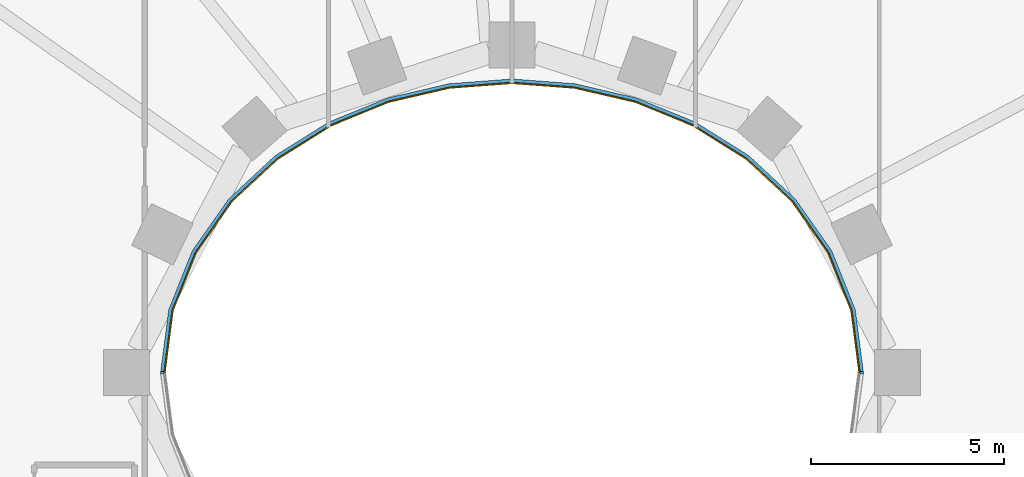
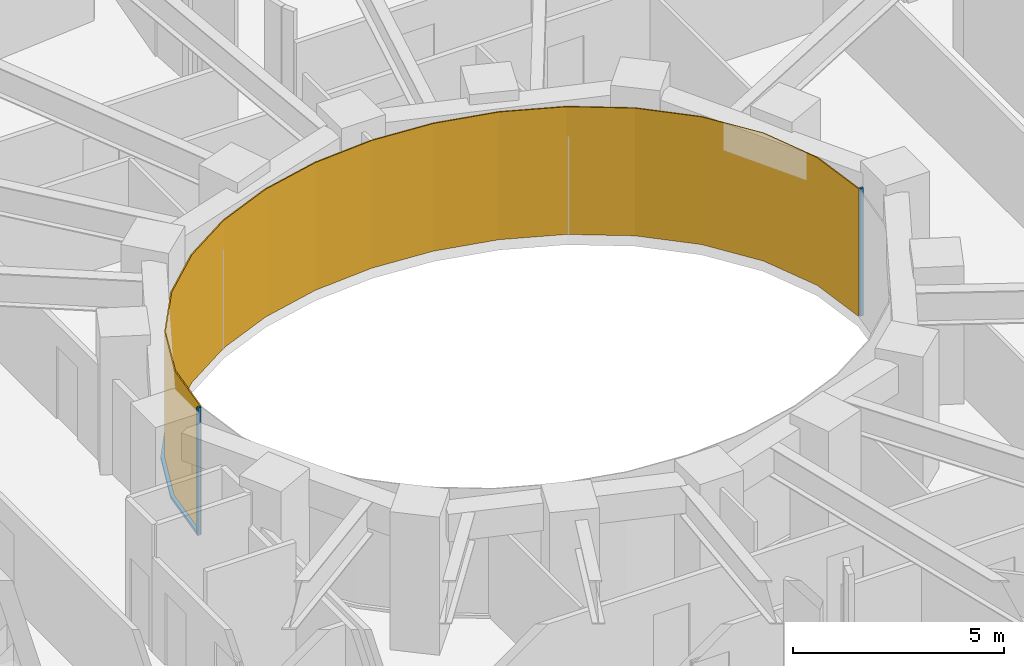
# One storey, part 12 of 16: 3 members, 1 curtain wall.
"""IFC4 building model written with IfcOpenShell, lengths in metres."""

from ifc_helpers import new_model, si_unit, direction, frame, origin, origin_2d, place, context, subcontext, project, spatial, polyline, rectangle, outline, extrude, material, layer, layer_set, material_profile, profile_set, type_object, element, aggregate, save


model = new_model("IFC4")

# Units and contexts
model_context = context("Model", 3, precision=1e-05, world=origin(), true_north=direction((0.0, 1.0)))
body_context = subcontext(model_context, "Body", "Model", "MODEL_VIEW")
ifc_project = project(units=[si_unit("LENGTHUNIT", "METRE"), si_unit("AREAUNIT", "SQUARE_METRE"), si_unit("VOLUMEUNIT", "CUBIC_METRE"), si_unit("PLANEANGLEUNIT", "RADIAN"), si_unit("MASSUNIT", "GRAM", prefix="KILO")], contexts=[model_context])

# Member
ifc_material_1 = material(Name="Steel S355 fire-resisting frame", Category="steel")
ifc_material_profile = material_profile(ifc_material_1, rectangle(XDim=0.090087890625, YDim=0.06005859375, at=origin_2d()), Name="90x60")
ifc_profile_set = profile_set([ifc_material_profile], Name="Steel S355 fire-resisting frame")
member_type_1 = type_object("IfcMemberType", Name="ENV-MULLION-W-90", PredefinedType="MULLION", material=ifc_profile_set)
site_placement = place(None, origin())
building_placement = place(site_placement, origin())
storey_placement = place(building_placement, frame((0.0, 0.0, 96.0)))
member_1_placement = place(storey_placement, frame((9.076904296875, 0.0, 0.0), z_axis=(0.0, 0.0, 1.0), x_axis=(1.0, 0.0, 0.0)))
member_1 = element("IfcMember", 1, at=member_1_placement, type_object=member_type_1, Name="Mullion W well vertex 01", PredefinedType="MULLION", context=body_context, shape_type="SweptSolid", body=[
    extrude(rectangle(XDim=0.090087890625, YDim=0.06005859375, at=origin_2d()), origin(), (0.0, 0.0, 1.0), 3.699951171875),
])

member_2_placement = place(storey_placement, frame((-9.076904296875, 0.0, 0.0), z_axis=(0.0, 0.0, 1.0), x_axis=(-1.0, 0.0, 0.0)))
member_2 = element("IfcMember", 2, at=member_2_placement, type_object=member_type_1, Name="Mullion W well vertex 17", PredefinedType="MULLION", context=body_context, shape_type="SweptSolid", body=[
    extrude(rectangle(XDim=0.090087890625, YDim=0.06005859375, at=origin_2d()), origin(), (0.0, 0.0, 1.0), 3.699951171875),
])

ifc_material_2 = material(Name="Steel S355 fire-resisting frame", Category="steel")
member_type_2 = type_object("IfcMemberType", Name="ENV-TRANSOM-W", PredefinedType="USERDEFINED", material=ifc_material_2)
member_3_placement = place(storey_placement, origin())
member_3 = element("IfcMember", 3, at=member_3_placement, type_object=member_type_2, Name="Transom W well 01-17", ObjectType="TRANSOM", PredefinedType="USERDEFINED", context=body_context, shape_type="SweptSolid", body=[
    extrude(outline(polyline([(9.119384765625, 0.02783203125), (8.910400390625, 1.63623046875), (8.29833984375, 3.167236328125), (7.35107421875, 4.5146484375), (6.1455078125, 5.6337890625), (4.75341796875, 6.50634765625), (3.233642578125, 7.127685546875), (1.635498046875, 7.498779296875), (0.0, 7.622314453125), (-1.635498046875, 7.498779296875), (-3.233642578125, 7.127685546875), (-4.75341796875, 6.50634765625), (-6.1455078125, 5.6337890625), (-7.35107421875, 4.5146484375), (-8.29833984375, 3.167236328125), (-8.910400390625, 1.63623046875), (-9.119384765625, 0.02783203125), (-9.02880859375, 0.02783203125), (-8.822509765625, 1.61328125), (-8.21875, 3.124267578125), (-7.282958984375, 4.455078125), (-6.090576171875, 5.56201171875), (-4.712158203125, 6.426025390625), (-3.206298828125, 7.04150390625), (-1.621826171875, 7.40966796875), (0.0, 7.531982421875), (1.621826171875, 7.40966796875), (3.206298828125, 7.04150390625), (4.712158203125, 6.426025390625), (6.090576171875, 5.56201171875), (7.282958984375, 4.455078125), (8.21875, 3.124267578125), (8.822509765625, 1.61328125), (9.02880859375, 0.02783203125), (9.119384765625, 0.02783203125)])), origin(), (0.0, 0.0, 1.0), 0.080078125),
])

# Site, building, storey
site = spatial("IfcSite", under=ifc_project, at=site_placement, CompositionType="ELEMENT")
building = spatial("IfcBuilding", under=site, at=building_placement, Name="Noorbagh Ring Tower", CompositionType="ELEMENT")
storey = spatial("IfcBuildingStorey", under=building, at=storey_placement, Name="L21", CompositionType="ELEMENT", Elevation=96.0)

# Curtain wall
ifc_material_3 = material(Name="Glass fire-resisting E60 laminated", Category="glass")
ifc_layer = layer(ifc_material_3, 0.031982421875)
ifc_layer_set = layer_set([ifc_layer], Name="Glass fire-resisting E60 laminated")
curtain_wall_type = type_object("IfcCurtainWallType", Name="ENV-CW-W", PredefinedType="NOTDEFINED", material=ifc_layer_set)
curtain_wall_placement = place(storey_placement, origin())
curtain_wall = element("IfcCurtainWall", 4, at=curtain_wall_placement, inside=storey, type_object=curtain_wall_type, Name="Curtain wall W W01", PredefinedType="NOTDEFINED", context=body_context, shape_type="SweptSolid", body=[
    extrude(outline(polyline([(9.0322265625, 0.0), (8.822509765625, 1.61328125), (8.21875, 3.124267578125), (7.282958984375, 4.455078125), (6.090576171875, 5.56201171875), (4.712158203125, 6.426025390625), (3.206298828125, 7.04150390625), (1.621826171875, 7.40966796875), (0.0, 7.531982421875), (-1.621826171875, 7.40966796875), (-3.206298828125, 7.04150390625), (-4.712158203125, 6.426025390625), (-6.090576171875, 5.56201171875), (-7.282958984375, 4.455078125), (-8.21875, 3.124267578125), (-8.822509765625, 1.61328125), (-9.0322265625, 0.0), (-9.0, 0.0), (-8.79150390625, 1.605224609375), (-8.1904296875, 3.10888671875), (-7.2587890625, 4.43408203125), (-6.071044921875, 5.53662109375), (-4.697509765625, 6.3974609375), (-3.196533203125, 7.010986328125), (-1.6171875, 7.3779296875), (0.0, 7.5), (1.6171875, 7.3779296875), (3.196533203125, 7.010986328125), (4.697509765625, 6.3974609375), (6.071044921875, 5.53662109375), (7.2587890625, 4.43408203125), (8.1904296875, 3.10888671875), (8.79150390625, 1.605224609375), (9.0, 0.0), (9.0322265625, 0.0)])), origin(), (0.0, 0.0, 1.0), 3.699951171875),
])

aggregate(curtain_wall, [member_1, member_2, member_3])

save(model, "model.ifc")
